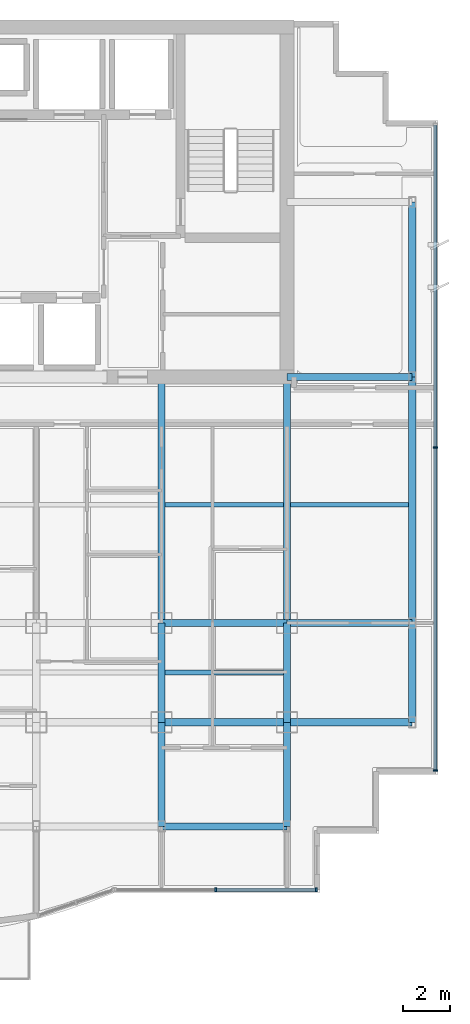
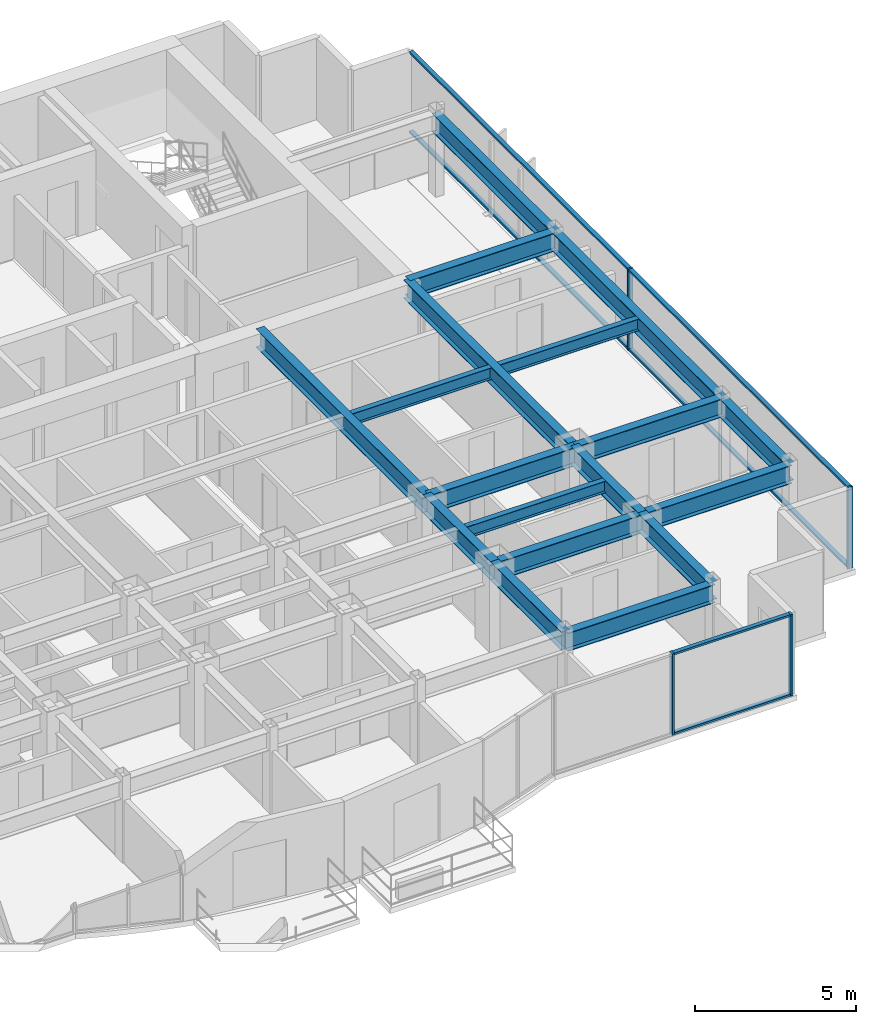
# One storey, part 4 of 13: 18 beams, 10 members, 2 elements without a shape of their own.
"""IFC4 building model written with IfcOpenShell, lengths in metres."""

from ifc_helpers import new_model, si_unit, direction, frame, origin, origin_2d, place, context, subcontext, project, spatial, rectangle, i_section, extrude, source, transform, mapped, material, layer, layer_set, material_profile, profile_set, type_object, element, aggregate, save


model = new_model("IFC4")

# Units and contexts
model_context = context("Model", 3, precision=1e-05, world=origin(), true_north=direction((0.0, 1.0)))
body_context = subcontext(model_context, "Body", "Model", "MODEL_VIEW")
ifc_project = project(units=[si_unit("LENGTHUNIT", "METRE"), si_unit("AREAUNIT", "SQUARE_METRE"), si_unit("VOLUMEUNIT", "CUBIC_METRE"), si_unit("PLANEANGLEUNIT", "RADIAN"), si_unit("MASSUNIT", "GRAM", prefix="KILO")], contexts=[model_context])

# Site, building, storey
site_placement = place(None, origin())
site = spatial("IfcSite", under=ifc_project, at=site_placement, CompositionType="ELEMENT")
building_placement = place(site_placement, origin())
building = spatial("IfcBuilding", under=site, at=building_placement, Name="Qianlan Lanfeng Residences", CompositionType="ELEMENT")
storey_placement = place(building_placement, frame((0.0, 0.0, 162.300048828125)))
storey = spatial("IfcBuildingStorey", under=building, at=storey_placement, Name="L44", CompositionType="ELEMENT", Elevation=162.300048828125)

# Beams
ifc_material_1 = material(Name="Steel SN490B", Category="steel")
ifc_material_profile_1 = material_profile(ifc_material_1, i_section(OverallWidth=0.300048828125, OverallDepth=0.699951171875, WebThickness=0.012939453125, FlangeThickness=0.02392578125, at=origin_2d()), Name="H 700x300x13x24")
ifc_profile_set_1 = profile_set([ifc_material_profile_1], Name="Steel SN490B")
beam_type_1 = type_object("IfcBeamType", Name="G-750", PredefinedType="BEAM", material=ifc_profile_set_1)
beam_1_placement = place(storey_placement, frame((37.10009765625, 10.60009765625, 2.75), z_axis=(1.0, 0.0, 0.0), x_axis=(0.0, 1.0, 0.0)))
element("IfcBeam", 1, at=beam_1_placement, inside=storey, type_object=beam_type_1, Name="Structural beam G-750", PredefinedType="BEAM", context=body_context, shape_type="SweptSolid", body=[
    extrude(i_section(OverallWidth=0.300048828125, OverallDepth=0.699951171875, WebThickness=0.012939453125, FlangeThickness=0.02392578125, at=origin_2d()), origin(), (0.0, 0.0, 1.0), 5.2998046875),
])
beam_2_placement = place(storey_placement, frame((42.39990234375, 10.60009765625, 2.75), z_axis=(1.0, 0.0, 0.0), x_axis=(0.0, 1.0, 0.0)))
element("IfcBeam", 2, at=beam_2_placement, inside=storey, type_object=beam_type_1, Name="Structural beam G-750", PredefinedType="BEAM", context=body_context, shape_type="SweptSolid", body=[
    extrude(i_section(OverallWidth=0.300048828125, OverallDepth=0.699951171875, WebThickness=0.012939453125, FlangeThickness=0.02392578125, at=origin_2d()), origin(), (0.0, 0.0, 1.0), 5.300048828125),
])
beam_3_placement = place(storey_placement, frame((37.10009765625, 14.800048828125, 2.75), z_axis=(1.0, 0.0, 0.0), x_axis=(0.0, 1.0, 0.0)))
element("IfcBeam", 3, at=beam_3_placement, inside=storey, type_object=beam_type_1, Name="Structural beam G-750", PredefinedType="BEAM", context=body_context, shape_type="SweptSolid", body=[
    extrude(i_section(OverallWidth=0.300048828125, OverallDepth=0.699951171875, WebThickness=0.012939453125, FlangeThickness=0.02392578125, at=origin_2d()), origin(), (0.0, 0.0, 1.0), 5.2998046875),
])
for number, where, z_axis, x_axis, name in (
    (4, (42.39990234375, 14.800048828125, 2.75), (1.0, 0.0, 0.0), (0.0, 1.0, 0.0), "Structural beam G-750"),
    (5, (42.39990234375, 25.199951171875, 2.75), (1.0, 0.0, 0.0), (0.0, 1.0, 0.0), "Structural beam G-750"),
):
    element("IfcBeam", number, at=place(storey_placement, frame(where, z_axis=z_axis, x_axis=x_axis)), inside=storey, type_object=beam_type_1, Name=name, PredefinedType="BEAM", context=body_context, shape_type="SweptSolid", body=[
        extrude(i_section(OverallWidth=0.300048828125, OverallDepth=0.699951171875, WebThickness=0.012939453125, FlangeThickness=0.02392578125, at=origin_2d()), origin(), (0.0, 0.0, 1.0), 5.300048828125),
    ])
beam_4_placement = place(storey_placement, frame((37.10009765625, 6.199951171875, 2.75), z_axis=(0.0, 1.0, 0.0), x_axis=(-1.0, 0.0, 0.0)))
element("IfcBeam", 6, at=beam_4_placement, inside=storey, type_object=beam_type_1, Name="Structural beam G-750", PredefinedType="BEAM", context=body_context, shape_type="SweptSolid", body=[
    extrude(i_section(OverallWidth=0.300048828125, OverallDepth=0.699951171875, WebThickness=0.012939453125, FlangeThickness=0.02392578125, at=origin_2d()), origin(), (0.0, 0.0, 1.0), 4.400146484375),
])
beam_5_placement = place(storey_placement, frame((37.10009765625, 10.60009765625, 2.75), z_axis=(0.0, 1.0, 0.0), x_axis=(-1.0, 0.0, 0.0)))
element("IfcBeam", 7, at=beam_5_placement, inside=storey, type_object=beam_type_1, Name="Structural beam G-750", PredefinedType="BEAM", context=body_context, shape_type="SweptSolid", body=[
    extrude(i_section(OverallWidth=0.300048828125, OverallDepth=0.699951171875, WebThickness=0.012939453125, FlangeThickness=0.02392578125, at=origin_2d()), origin(), (0.0, 0.0, 1.0), 4.199951171875),
])
beam_6_placement = place(storey_placement, frame((37.10009765625, 14.800048828125, 2.75), z_axis=(0.0, 1.0, 0.0), x_axis=(-1.0, 0.0, 0.0)))
element("IfcBeam", 8, at=beam_6_placement, inside=storey, type_object=beam_type_1, Name="Structural beam G-750", PredefinedType="BEAM", context=body_context, shape_type="SweptSolid", body=[
    extrude(i_section(OverallWidth=0.300048828125, OverallDepth=0.699951171875, WebThickness=0.012939453125, FlangeThickness=0.02392578125, at=origin_2d()), origin(), (0.0, 0.0, 1.0), 10.39990234375),
])
beam_7_placement = place(storey_placement, frame((42.39990234375, 6.199951171875, 2.75), z_axis=(0.0, 1.0, 0.0), x_axis=(-1.0, 0.0, 0.0)))
element("IfcBeam", 9, at=beam_7_placement, inside=storey, type_object=beam_type_1, Name="Structural beam G-750", PredefinedType="BEAM", context=body_context, shape_type="SweptSolid", body=[
    extrude(i_section(OverallWidth=0.300048828125, OverallDepth=0.699951171875, WebThickness=0.012939453125, FlangeThickness=0.02392578125, at=origin_2d()), origin(), (0.0, 0.0, 1.0), 4.400146484375),
])
beam_8_placement = place(storey_placement, frame((42.39990234375, 10.60009765625, 2.75), z_axis=(0.0, 1.0, 0.0), x_axis=(-1.0, 0.0, 0.0)))
element("IfcBeam", 10, at=beam_8_placement, inside=storey, type_object=beam_type_1, Name="Structural beam G-750", PredefinedType="BEAM", context=body_context, shape_type="SweptSolid", body=[
    extrude(i_section(OverallWidth=0.300048828125, OverallDepth=0.699951171875, WebThickness=0.012939453125, FlangeThickness=0.02392578125, at=origin_2d()), origin(), (0.0, 0.0, 1.0), 4.199951171875),
])
beam_9_placement = place(storey_placement, frame((42.39990234375, 14.800048828125, 2.75), z_axis=(0.0, 1.0, 0.0), x_axis=(-1.0, 0.0, 0.0)))
element("IfcBeam", 11, at=beam_9_placement, inside=storey, type_object=beam_type_1, Name="Structural beam G-750", PredefinedType="BEAM", context=body_context, shape_type="SweptSolid", body=[
    extrude(i_section(OverallWidth=0.300048828125, OverallDepth=0.699951171875, WebThickness=0.012939453125, FlangeThickness=0.02392578125, at=origin_2d()), origin(), (0.0, 0.0, 1.0), 10.39990234375),
])
ifc_material_profile_2 = material_profile(ifc_material_1, i_section(OverallWidth=0.199951171875, OverallDepth=0.449951171875, WebThickness=0.009033203125, FlangeThickness=0.013916015625, at=origin_2d()), Name="H 450x200x9x14")
ifc_profile_set_2 = profile_set([ifc_material_profile_2], Name="Steel SN490B")
beam_type_2 = type_object("IfcBeamType", Name="J-450", PredefinedType="JOIST", material=ifc_profile_set_2)
for number, where, z_axis, x_axis, name in (
    (12, (37.25, 12.699951171875, 2.875), (1.0, 0.0, 0.0), (0.0, 1.0, 0.0), "Structural beam J-450"),
    (13, (37.25, 19.800048828125, 2.875), (1.0, 0.0, 0.0), (0.0, 1.0, 0.0), "Structural beam J-450"),
    (14, (42.550048828125, 19.800048828125, 2.875), (1.0, 0.0, 0.0), (0.0, 1.0, 0.0), "Structural beam J-450"),
):
    element("IfcBeam", number, at=place(storey_placement, frame(where, z_axis=z_axis, x_axis=x_axis)), inside=storey, type_object=beam_type_2, Name=name, PredefinedType="JOIST", context=body_context, shape_type="SweptSolid", body=[
        extrude(i_section(OverallWidth=0.199951171875, OverallDepth=0.449951171875, WebThickness=0.009033203125, FlangeThickness=0.013916015625, at=origin_2d()), origin(), (0.0, 0.0, 1.0), 5.0),
    ])
ifc_material_profile_3 = material_profile(ifc_material_1, i_section(OverallWidth=0.300048828125, OverallDepth=0.699951171875, WebThickness=0.012939453125, FlangeThickness=0.02392578125, at=origin_2d()), Name="H 700x300x13x24")
ifc_profile_set_3 = profile_set([ifc_material_profile_3], Name="Steel SN490B")
beam_type_3 = type_object("IfcBeamType", Name="SG-750", PredefinedType="SPANDREL", material=ifc_profile_set_3)
beam_10_placement = place(storey_placement, frame((37.10009765625, 6.199951171875, 2.739990234375), z_axis=(1.0, 0.0, 0.0), x_axis=(0.0, 1.0, 0.0)))
element("IfcBeam", 15, at=beam_10_placement, inside=storey, type_object=beam_type_3, Name="Structural beam SG-750", PredefinedType="SPANDREL", context=body_context, shape_type="SweptSolid", body=[
    extrude(i_section(OverallWidth=0.300048828125, OverallDepth=0.699951171875, WebThickness=0.012939453125, FlangeThickness=0.02392578125, at=origin_2d()), origin(), (0.0, 0.0, 1.0), 5.2998046875),
])
beam_11_placement = place(storey_placement, frame((47.699951171875, 10.60009765625, 2.739990234375), z_axis=(0.0, 1.0, 0.0), x_axis=(-1.0, 0.0, 0.0)))
element("IfcBeam", 16, at=beam_11_placement, inside=storey, type_object=beam_type_3, Name="Structural beam SG-750", PredefinedType="SPANDREL", context=body_context, shape_type="SweptSolid", body=[
    extrude(i_section(OverallWidth=0.300048828125, OverallDepth=0.699951171875, WebThickness=0.012939453125, FlangeThickness=0.02392578125, at=origin_2d()), origin(), (0.0, 0.0, 1.0), 4.199951171875),
])
beam_12_placement = place(storey_placement, frame((47.699951171875, 14.800048828125, 2.739990234375), z_axis=(0.0, 1.0, 0.0), x_axis=(-1.0, 0.0, 0.0)))
element("IfcBeam", 17, at=beam_12_placement, inside=storey, type_object=beam_type_3, Name="Structural beam SG-750", PredefinedType="SPANDREL", context=body_context, shape_type="SweptSolid", body=[
    extrude(i_section(OverallWidth=0.300048828125, OverallDepth=0.699951171875, WebThickness=0.012939453125, FlangeThickness=0.02392578125, at=origin_2d()), origin(), (0.0, 0.0, 1.0), 10.39990234375),
])
beam_13_placement = place(storey_placement, frame((47.699951171875, 25.199951171875, 2.739990234375), z_axis=(0.0, 1.0, 0.0), x_axis=(-1.0, 0.0, 0.0)))
element("IfcBeam", 18, at=beam_13_placement, inside=storey, type_object=beam_type_3, Name="Structural beam SG-750", PredefinedType="SPANDREL", context=body_context, shape_type="SweptSolid", body=[
    extrude(i_section(OverallWidth=0.300048828125, OverallDepth=0.699951171875, WebThickness=0.012939453125, FlangeThickness=0.02392578125, at=origin_2d()), origin(), (0.0, 0.0, 1.0), 7.400146484375),
])

# Curtain wall, members
ifc_material_2 = material(Name="Anodised Bronze Aluminium 6063-T6", Category="aluminium")
ifc_layer = layer(ifc_material_2, 0.219970703125)
ifc_layer_set = layer_set([ifc_layer], Name="Anodised Bronze Aluminium 6063-T6")
curtain_wall_type = type_object("IfcCurtainWallType", Name="CW-04", PredefinedType="NOTDEFINED", material=ifc_layer_set)
curtain_wall_1_placement = place(storey_placement, origin())
curtain_wall_1 = element("IfcCurtainWall", 19, at=curtain_wall_1_placement, inside=storey, type_object=curtain_wall_type, Name="L44 Unitised Curtain Wall CWR-L44-04 (CW-04)", PredefinedType="NOTDEFINED")
ifc_material_profile_4 = material_profile(ifc_material_2, rectangle(XDim=0.074951171875, YDim=0.14990234375, at=origin_2d()), Name="ALU TRANSOM 75x150")
ifc_profile_set_4 = profile_set([ifc_material_profile_4], Name="Anodised Bronze Aluminium 6063-T6")
member_type_1 = type_object("IfcMemberType", Name="CWT-150", PredefinedType="USERDEFINED", material=ifc_profile_set_4)
shared_shape_1 = source(origin(), body_context, "Body", "SweptSolid", [
    extrude(rectangle(XDim=0.074951171875, YDim=0.14990234375, at=origin_2d()), origin(), (0.0, 0.0, 1.0), 4.178955078125),
])
member_1_placement = place(storey_placement, frame((39.426025390625, 3.52001953125, 0.037353515625), z_axis=(1.0, 0.0, 0.0), x_axis=(0.0, 0.0, 1.0)))
member_1 = element("IfcMember", 20, at=member_1_placement, type_object=member_type_1, Name="CWR-L44-04 Transom 2-BOT", ObjectType="TRANSOM", PredefinedType="USERDEFINED", context=body_context, shape_type="MappedRepresentation", body=[
    mapped(shared_shape_1, transform((0.0, 0.0, 0.0), scale=1.0)),
])
member_2_placement = place(storey_placement, frame((39.426025390625, 3.52001953125, 3.0625), z_axis=(1.0, 0.0, 0.0), x_axis=(0.0, 0.0, 1.0)))
member_2 = element("IfcMember", 21, at=member_2_placement, type_object=member_type_1, Name="CWR-L44-04 Transom 2-TOP", ObjectType="TRANSOM", PredefinedType="USERDEFINED", context=body_context, shape_type="MappedRepresentation", body=[
    mapped(shared_shape_1, transform((0.0, 0.0, 0.0), scale=1.0)),
])

curtain_wall_2_placement = place(storey_placement, origin())
curtain_wall_2 = element("IfcCurtainWall", 22, at=curtain_wall_2_placement, inside=storey, type_object=curtain_wall_type, Name="L44 Unitised Curtain Wall CWR-L44-05 (CW-04)", PredefinedType="NOTDEFINED")
shared_shape_2 = source(origin(), body_context, "Body", "SweptSolid", [
    extrude(rectangle(XDim=0.074951171875, YDim=0.14990234375, at=origin_2d()), origin(), (0.0, 0.0, 1.0), 13.592529296875),
])
member_3_placement = place(storey_placement, frame((48.679931640625, 8.594970703125, 0.037353515625), z_axis=(0.0, 1.0, 0.0), x_axis=(0.0, 0.0, 1.0)))
member_3 = element("IfcMember", 23, at=member_3_placement, type_object=member_type_1, Name="CWR-L44-05 Transom 1-BOT", ObjectType="TRANSOM", PredefinedType="USERDEFINED", context=body_context, shape_type="MappedRepresentation", body=[
    mapped(shared_shape_2, transform((0.0, 0.0, 0.0), scale=1.0)),
])
member_4_placement = place(storey_placement, frame((48.679931640625, 8.594970703125, 3.0625), z_axis=(0.0, 1.0, 0.0), x_axis=(0.0, 0.0, 1.0)))
member_4 = element("IfcMember", 24, at=member_4_placement, type_object=member_type_1, Name="CWR-L44-05 Transom 1-TOP", ObjectType="TRANSOM", PredefinedType="USERDEFINED", context=body_context, shape_type="MappedRepresentation", body=[
    mapped(shared_shape_2, transform((0.0, 0.0, 0.0), scale=1.0)),
])
member_5_placement = place(storey_placement, frame((48.679931640625, 22.262451171875, 0.037353515625), z_axis=(0.0, 1.0, 0.0), x_axis=(0.0, 0.0, 1.0)))
member_5 = element("IfcMember", 25, at=member_5_placement, type_object=member_type_1, Name="CWR-L44-05 Transom 2-BOT", ObjectType="TRANSOM", PredefinedType="USERDEFINED", context=body_context, shape_type="MappedRepresentation", body=[
    mapped(shared_shape_2, transform((0.0, 0.0, 0.0), scale=1.0)),
])
member_6_placement = place(storey_placement, frame((48.679931640625, 22.262451171875, 3.0625), z_axis=(0.0, 1.0, 0.0), x_axis=(0.0, 0.0, 1.0)))
member_6 = element("IfcMember", 26, at=member_6_placement, type_object=member_type_1, Name="CWR-L44-05 Transom 2-TOP", ObjectType="TRANSOM", PredefinedType="USERDEFINED", context=body_context, shape_type="MappedRepresentation", body=[
    mapped(shared_shape_2, transform((0.0, 0.0, 0.0), scale=1.0)),
])

# Member
ifc_material_profile_5 = material_profile(ifc_material_2, rectangle(XDim=0.074951171875, YDim=0.179931640625, at=origin_2d()), Name="ALU MULLION 75x180")
ifc_profile_set_5 = profile_set([ifc_material_profile_5], Name="Anodised Bronze Aluminium 6063-T6")
member_type_2 = type_object("IfcMemberType", Name="CWM-180", PredefinedType="MULLION", material=ifc_profile_set_5)
shared_shape_3 = source(origin(), body_context, "Body", "SweptSolid", [
    extrude(rectangle(XDim=0.074951171875, YDim=0.179931640625, at=origin_2d()), origin(), (0.0, 0.0, 1.0), 3.099853515625),
])
member_7_placement = place(storey_placement, frame((39.388427734375, 3.52001953125, 0.0), z_axis=(0.0, 0.0, 1.0), x_axis=(1.0, 0.0, 0.0)))
member_7 = element("IfcMember", 27, at=member_7_placement, type_object=member_type_2, Name="CWR-L44-04 Mullion 2", PredefinedType="MULLION", context=body_context, shape_type="MappedRepresentation", body=[
    mapped(shared_shape_3, transform((0.0, 0.0, 0.0), scale=1.0)),
])

member_8_placement = place(storey_placement, frame((43.642578125, 3.52001953125, 0.0), z_axis=(0.0, 0.0, 1.0), x_axis=(1.0, 0.0, 0.0)))
member_8 = element("IfcMember", 28, at=member_8_placement, type_object=member_type_2, Name="CWR-L44-04 Mullion 3", PredefinedType="MULLION", context=body_context, shape_type="MappedRepresentation", body=[
    mapped(shared_shape_3, transform((0.0, 0.0, 0.0), scale=1.0)),
])

aggregate(curtain_wall_1, [member_7, member_8, member_1, member_2])

member_9_placement = place(storey_placement, frame((48.679931640625, 8.5576171875, 0.0), z_axis=(0.0, 0.0, 1.0), x_axis=(0.0, 1.0, 0.0)))
member_9 = element("IfcMember", 29, at=member_9_placement, type_object=member_type_2, Name="CWR-L44-05 Mullion 1", PredefinedType="MULLION", context=body_context, shape_type="MappedRepresentation", body=[
    mapped(shared_shape_3, transform((0.0, 0.0, 0.0), scale=1.0)),
])

member_10_placement = place(storey_placement, frame((48.679931640625, 22.22509765625, 0.0), z_axis=(0.0, 0.0, 1.0), x_axis=(0.0, 1.0, 0.0)))
member_10 = element("IfcMember", 30, at=member_10_placement, type_object=member_type_2, Name="CWR-L44-05 Mullion 2", PredefinedType="MULLION", context=body_context, shape_type="MappedRepresentation", body=[
    mapped(shared_shape_3, transform((0.0, 0.0, 0.0), scale=1.0)),
])

aggregate(curtain_wall_2, [member_9, member_10, member_3, member_4, member_5, member_6])

save(model, "model.ifc")
